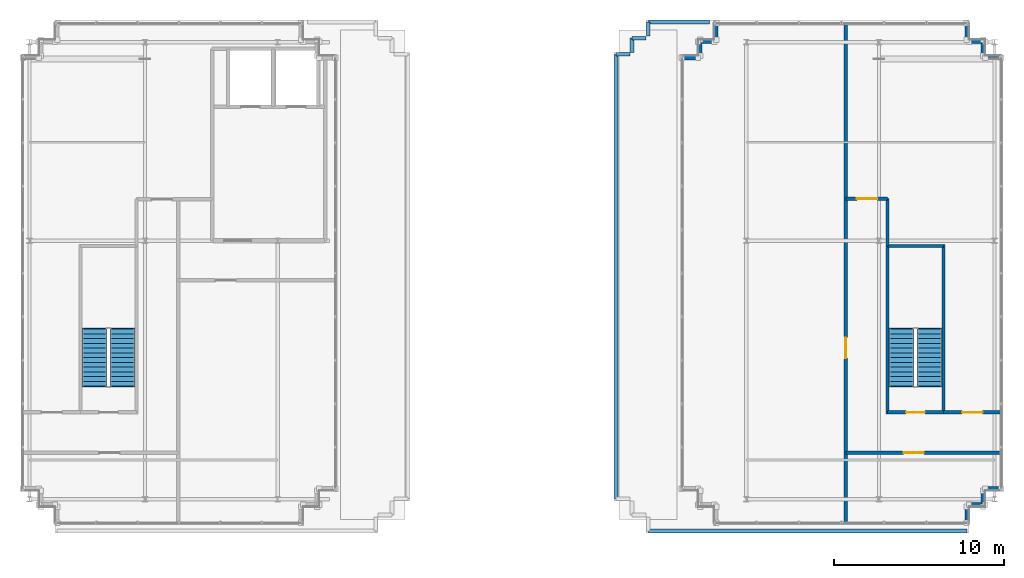
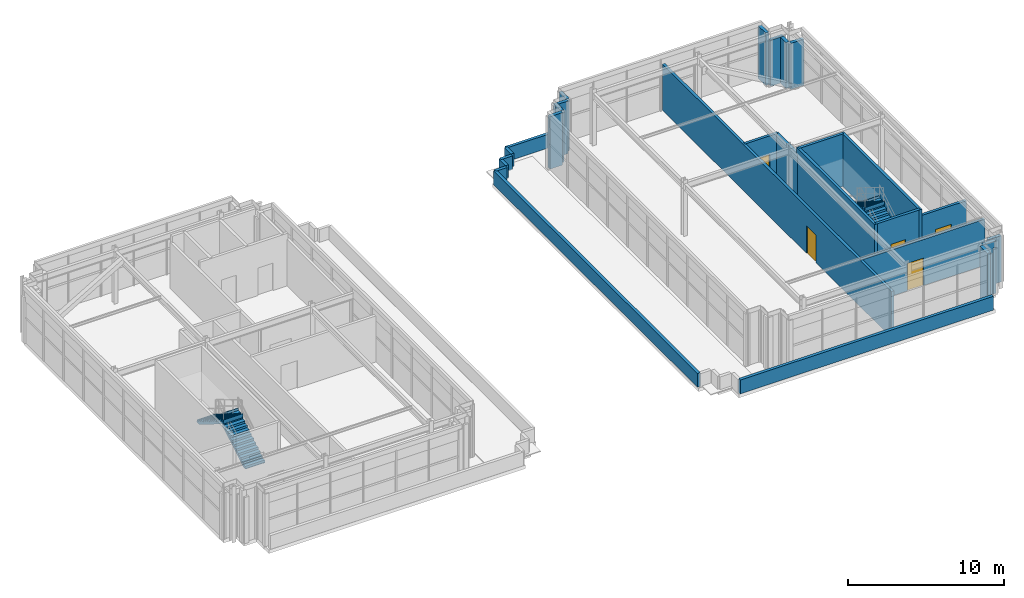
# One storey, part 26 of 28: 28 walls, 5 doors, 4 stair flights, 5 openings, 2 elements without a shape of their own.
"""IFC4 building model written with IfcOpenShell, lengths in metres."""

from ifc_helpers import new_model, si_unit, direction, frame, frame_2d, origin, place, context, subcontext, project, spatial, polyline, rectangle, outline, extrude, source, transform, mapped, material, layer, layer_set, type_object, element, fill, aggregate, save


model = new_model("IFC4")

# Units and contexts
model_context = context("Model", 3, precision=1e-05, world=origin(), true_north=direction((0.0, 1.0)))
body_context = subcontext(model_context, "Body", "Model", "MODEL_VIEW")
ifc_project = project(units=[si_unit("LENGTHUNIT", "METRE"), si_unit("AREAUNIT", "SQUARE_METRE"), si_unit("VOLUMEUNIT", "CUBIC_METRE"), si_unit("PLANEANGLEUNIT", "RADIAN"), si_unit("MASSUNIT", "GRAM", prefix="KILO")], contexts=[model_context])

# Site, building, storey
site_placement = place(None, origin())
site = spatial("IfcSite", under=ifc_project, at=site_placement, CompositionType="ELEMENT")
building_placement = place(site_placement, origin())
building = spatial("IfcBuilding", under=site, at=building_placement, Name="Trelvane Seafront Commons", CompositionType="ELEMENT")
storey_placement = place(building_placement, frame((0.0, 0.0, 312.300048828125)))
storey = spatial("IfcBuildingStorey", under=building, at=storey_placement, Name="L81", CompositionType="ELEMENT", Elevation=312.300048828125)

# Walls
ifc_material_1 = material(Name="Precast concrete C40/50", Category="concrete")
ifc_layer_1 = layer(ifc_material_1, 0.239990234375, Name="ARCH-WALL-EXT240")
ifc_layer_set_1 = layer_set([ifc_layer_1], Name="Precast concrete C40/50")
wall_type_1 = type_object("IfcWallType", Name="ARCH-WALL-EXT240", PredefinedType="SOLIDWALL", material=ifc_layer_set_1)
for number, where, z_axis, x_axis, name in (
    (1, (47.199951171875, 44.179931640625, 0.0), (0.0, 0.0, 1.0), (1.0, 0.0, 0.0), "EW-L81-CRN-01711"),
    (2, (48.27001953125, 44.300048828125, 0.0), (0.0, 0.0, 1.0), (0.0, 1.0, 0.0), "EW-L81-CRN-01712"),
):
    element("IfcWall", number, at=place(storey_placement, frame(where, z_axis=z_axis, x_axis=x_axis)), inside=storey, type_object=wall_type_1, Name=name, PredefinedType="SOLIDWALL", context=body_context, shape_type="SweptSolid", body=[
        extrude(rectangle(XDim=0.949951171875, YDim=0.239990234375, at=frame_2d((0.47509765625, 0.0))), origin(), (0.0, 0.0, 1.0), 4.10986328125),
    ])
wall_1_placement = place(storey_placement, frame((48.14990234375, 45.1298828125, 0.0), z_axis=(0.0, 0.0, 1.0), x_axis=(1.0, 0.0, 0.0)))
element("IfcWall", 3, at=wall_1_placement, inside=storey, type_object=wall_type_1, Name="EW-L81-CRN-01713", PredefinedType="SOLIDWALL", context=body_context, shape_type="SweptSolid", body=[
    extrude(rectangle(XDim=0.9501953125, YDim=0.239990234375, at=frame_2d((0.47509765625, 0.0))), origin(), (0.0, 0.0, 1.0), 4.10986328125),
])
for number, where, z_axis, x_axis, name in (
    (4, (49.219970703125, 45.25, 0.0), (0.0, 0.0, 1.0), (0.0, 1.0, 0.0), "EW-L81-CRN-01714"),
    (5, (63.97998046875, 46.199951171875, 0.0), (0.0, 0.0, 1.0), (0.0, -1.0, 0.0), "EW-L81-CRN-01715"),
):
    element("IfcWall", number, at=place(storey_placement, frame(where, z_axis=z_axis, x_axis=x_axis)), inside=storey, type_object=wall_type_1, Name=name, PredefinedType="SOLIDWALL", context=body_context, shape_type="SweptSolid", body=[
        extrude(rectangle(XDim=0.949951171875, YDim=0.239990234375, at=frame_2d((0.47509765625, 0.0))), origin(), (0.0, 0.0, 1.0), 4.10986328125),
    ])
for number, where, z_axis, x_axis, name in (
    (6, (64.10009765625, 45.1298828125, 0.0), (0.0, 0.0, 1.0), (1.0, 0.0, 0.0), "EW-L81-CRN-01716"),
    (7, (64.929931640625, 45.25, 0.0), (0.0, 0.0, 1.0), (0.0, -1.0, 0.0), "EW-L81-CRN-01717"),
    (8, (65.050048828125, 44.179931640625, 0.0), (0.0, 0.0, 1.0), (1.0, 0.0, 0.0), "EW-L81-CRN-01718"),
    (9, (66.0, 18.820068359375, 0.0), (0.0, 0.0, 1.0), (-1.0, 0.0, 0.0), "EW-L81-CRN-01719"),
    (10, (64.929931640625, 18.699951171875, 0.0), (0.0, 0.0, 1.0), (0.0, -1.0, 0.0), "EW-L81-CRN-01720"),
):
    element("IfcWall", number, at=place(storey_placement, frame(where, z_axis=z_axis, x_axis=x_axis)), inside=storey, type_object=wall_type_1, Name=name, PredefinedType="SOLIDWALL", context=body_context, shape_type="SweptSolid", body=[
        extrude(rectangle(XDim=0.949951171875, YDim=0.239990234375, at=frame_2d((0.47509765625, 0.0))), origin(), (0.0, 0.0, 1.0), 3.60986328125),
    ])
for number, where, z_axis, x_axis, name in (
    (11, (65.050048828125, 17.8701171875, 0.0), (0.0, 0.0, 1.0), (-1.0, 0.0, 0.0), "EW-L81-CRN-01721"),
    (12, (63.97998046875, 17.75, 0.0), (0.0, 0.0, 1.0), (0.0, -1.0, 0.0), "EW-L81-CRN-01722"),
):
    element("IfcWall", number, at=place(storey_placement, frame(where, z_axis=z_axis, x_axis=x_axis)), inside=storey, type_object=wall_type_1, Name=name, PredefinedType="SOLIDWALL", context=body_context, shape_type="SweptSolid", body=[
        extrude(rectangle(XDim=0.949951171875, YDim=0.239990234375, at=frame_2d((0.47509765625, 0.0))), origin(), (0.0, 0.0, 1.0), 4.10986328125),
    ])

# Wall, opening, door
ifc_material_2 = material(Name="Concrete C40/50", Category="concrete")
ifc_layer_2 = layer(ifc_material_2, 0.199951171875, Name="ARCH-WALL-FIRE200")
ifc_layer_set_2 = layer_set([ifc_layer_2], Name="Concrete C40/50")
wall_type_2 = type_object("IfcWallType", Name="ARCH-WALL-FIRE200", PredefinedType="PARTITIONING", material=ifc_layer_set_2)
wall_2_placement = place(storey_placement, frame((56.85009765625, 16.81005859375, 0.0), z_axis=(0.0, 0.0, 1.0), x_axis=(0.0, 1.0, 0.0)))
wall_2 = element("IfcWall", 13, at=wall_2_placement, inside=storey, type_object=wall_type_2, Name="W-L81-CRNE-W-023", PredefinedType="PARTITIONING", context=body_context, shape_type="SweptSolid", body=[
    extrude(rectangle(XDim=29.3798828125, YDim=0.199951171875, at=frame_2d((14.68994140625, 0.0))), origin(), (0.0, 0.0, 1.0), 3.60986328125),
])
opening_1_placement = place(wall_2_placement, frame((9.68994140625, 0.0, 0.0)))
opening_1 = element("IfcOpeningElement", 14, at=opening_1_placement, cuts=wall_2, Name="Opening FD-L81-10", PredefinedType="OPENING", context=body_context, shape_type="SweptSolid", body=[
    extrude(rectangle(XDim=1.199951171875, YDim=2.14990234375, at=frame_2d((0.60009765625, 1.074951171875))), frame((0.0, 0.10986328125, 0.0), z_axis=(0.0, -1.0, 0.0), x_axis=(1.0, 0.0, 0.0)), (0.0, 0.0, 1.0), 0.219970703125),
])
ifc_material_3 = material(Name="Powder-coated aluminium frame", Category="aluminium")
door_type_1 = type_object("IfcDoorType", Name="ARCH-DR-FD60-1200", OperationType="NOTDEFINED", PredefinedType="DOOR", material=ifc_material_3)
shared_shape_1 = source(origin(), body_context, "Body", "SweptSolid", [
    extrude(rectangle(XDim=1.199951171875, YDim=2.14990234375, at=frame_2d((0.60009765625, 1.074951171875))), frame((0.0, 0.02490234375, 0.0), z_axis=(0.0, -1.0, 0.0), x_axis=(1.0, 0.0, 0.0)), (0.0, 0.0, 1.0), 0.050048828125),
])
door_1_placement = place(opening_1_placement, origin())
door_1 = element("IfcDoor", 15, at=door_1_placement, inside=storey, type_object=door_type_1, Name="L81 Break Tank Room Door", OperationType="SINGLE_SWING_RIGHT", OverallHeight=2.14990234375, OverallWidth=1.199951171875, PredefinedType="DOOR", context=body_context, shape_type="MappedRepresentation", body=[
    mapped(shared_shape_1, transform((0.0, 0.0, 0.0), x_axis=(1.0, 0.0, 0.0), y_axis=(0.0, 1.0, 0.0), z_axis=(0.0, 0.0, 1.0), scale=1.0)),
])
fill(opening_1, door_1)

wall_3_placement = place(storey_placement, frame((56.85009765625, 20.919921875, 0.0), z_axis=(0.0, 0.0, 1.0), x_axis=(1.0, 0.0, 0.0)))
wall_3 = element("IfcWall", 16, at=wall_3_placement, inside=storey, type_object=wall_type_2, Name="W-L81-CRNE-S-024", PredefinedType="PARTITIONING", context=body_context, shape_type="SweptSolid", body=[
    extrude(rectangle(XDim=9.139892578125, YDim=0.199951171875, at=frame_2d((4.56982421875, 0.0))), origin(), (0.0, 0.0, 1.0), 3.60986328125),
])
opening_2_placement = place(wall_3_placement, frame((3.39990234375, 0.0, 0.0)))
opening_2 = element("IfcOpeningElement", 17, at=opening_2_placement, cuts=wall_3, Name="Opening FD-L81-11", PredefinedType="OPENING", context=body_context, shape_type="SweptSolid", body=[
    extrude(rectangle(XDim=1.199951171875, YDim=2.14990234375, at=frame_2d((0.60009765625, 1.074951171875))), frame((0.0, 0.10986328125, 0.0), z_axis=(0.0, -1.0, 0.0), x_axis=(1.0, 0.0, 0.0)), (0.0, 0.0, 1.0), 0.219970703125),
])
door_2_placement = place(opening_2_placement, origin())
door_2 = element("IfcDoor", 18, at=door_2_placement, inside=storey, type_object=door_type_1, Name="L81 Door 11", OperationType="SINGLE_SWING_LEFT", OverallHeight=2.14990234375, OverallWidth=1.199951171875, PredefinedType="DOOR", context=body_context, shape_type="MappedRepresentation", body=[
    mapped(shared_shape_1, transform((0.0, 0.0, 0.0), x_axis=(1.0, 0.0, 0.0), y_axis=(0.0, 1.0, 0.0), z_axis=(0.0, 0.0, 1.0), scale=1.0)),
])
fill(opening_2, door_2)

wall_4_placement = place(storey_placement, frame((62.60009765625, 23.300048828125, 0.0), z_axis=(0.0, 0.0, 1.0), x_axis=(1.0, 0.0, 0.0)))
wall_4 = element("IfcWall", 19, at=wall_4_placement, inside=storey, type_object=wall_type_2, Name="W-L81-CRNE-ETK-025", PredefinedType="PARTITIONING", context=body_context, shape_type="SweptSolid", body=[
    extrude(rectangle(XDim=3.389892578125, YDim=0.199951171875, at=frame_2d((1.69482421875, 0.0))), origin(), (0.0, 0.0, 1.0), 3.60986328125),
])
opening_3_placement = place(wall_4_placement, frame((1.10009765625, 0.0, 0.0)))
opening_3 = element("IfcOpeningElement", 20, at=opening_3_placement, cuts=wall_4, Name="Opening FD-L81-12", PredefinedType="OPENING", context=body_context, shape_type="SweptSolid", body=[
    extrude(rectangle(XDim=1.199951171875, YDim=2.14990234375, at=frame_2d((0.60009765625, 1.074951171875))), frame((0.0, 0.10986328125, 0.0), z_axis=(0.0, -1.0, 0.0), x_axis=(1.0, 0.0, 0.0)), (0.0, 0.0, 1.0), 0.219970703125),
])
door_3_placement = place(opening_3_placement, origin())
door_3 = element("IfcDoor", 21, at=door_3_placement, inside=storey, type_object=door_type_1, Name="L81 Door 12", OperationType="SINGLE_SWING_RIGHT", OverallHeight=2.14990234375, OverallWidth=1.199951171875, PredefinedType="DOOR", context=body_context, shape_type="MappedRepresentation", body=[
    mapped(shared_shape_1, transform((0.0, 0.0, 0.0), x_axis=(1.0, 0.0, 0.0), y_axis=(0.0, 1.0, 0.0), z_axis=(0.0, 0.0, 1.0), scale=1.0)),
])
fill(opening_3, door_3)

wall_5_placement = place(storey_placement, frame((56.85009765625, 35.8798828125, 0.0), z_axis=(0.0, 0.0, 1.0), x_axis=(1.0, 0.0, 0.0)))
wall_5 = element("IfcWall", 22, at=wall_5_placement, inside=storey, type_object=wall_type_2, Name="W-L81-CRNE-N-026", PredefinedType="PARTITIONING", context=body_context, shape_type="SweptSolid", body=[
    extrude(rectangle(XDim=2.449951171875, YDim=0.199951171875, at=frame_2d((1.22509765625, 0.0))), origin(), (0.0, 0.0, 1.0), 3.60986328125),
])
opening_4_placement = place(wall_5_placement, frame((0.64990234375, 0.0, 0.0)))
opening_4 = element("IfcOpeningElement", 23, at=opening_4_placement, cuts=wall_5, Name="Opening FD-L81-13", PredefinedType="OPENING", context=body_context, shape_type="SweptSolid", body=[
    extrude(rectangle(XDim=1.199951171875, YDim=2.14990234375, at=frame_2d((0.60009765625, 1.074951171875))), frame((0.0, 0.10986328125, 0.0), z_axis=(0.0, -1.0, 0.0), x_axis=(1.0, 0.0, 0.0)), (0.0, 0.0, 1.0), 0.219970703125),
])
door_4_placement = place(opening_4_placement, origin())
door_4 = element("IfcDoor", 24, at=door_4_placement, inside=storey, type_object=door_type_1, Name="L81 BMS Fan Room Door", OperationType="SINGLE_SWING_LEFT", OverallHeight=2.14990234375, OverallWidth=1.199951171875, PredefinedType="DOOR", context=body_context, shape_type="MappedRepresentation", body=[
    mapped(shared_shape_1, transform((0.0, 0.0, 0.0), x_axis=(1.0, 0.0, 0.0), y_axis=(0.0, 1.0, 0.0), z_axis=(0.0, 0.0, 1.0), scale=1.0)),
])
fill(opening_4, door_4)

# Walls
wall_6_placement = place(storey_placement, frame((59.300048828125, 33.10009765625, 0.0), z_axis=(0.0, 0.0, 1.0), x_axis=(0.0, 1.0, 0.0)))
element("IfcWall", 25, at=wall_6_placement, inside=storey, type_object=wall_type_2, Name="W-L81-CRNE-SPE-027", PredefinedType="PARTITIONING", context=body_context, shape_type="SweptSolid", body=[
    extrude(rectangle(XDim=2.77978515625, YDim=0.199951171875, at=frame_2d((1.389892578125, 0.0))), origin(), (0.0, 0.0, 1.0), 3.60986328125),
])
ifc_layer_3 = layer(ifc_material_1, 0.219970703125, Name="ARCH-WALL-PARAPET220")
ifc_layer_set_3 = layer_set([ifc_layer_3], Name="Precast concrete C40/50")
wall_type_3 = type_object("IfcWallType", Name="ARCH-WALL-PARAPET220", PredefinedType="PARAPET", material=ifc_layer_set_3)
wall_7_placement = place(storey_placement, frame((43.320068359375, 18.219970703125, 0.0), z_axis=(0.0, 0.0, 1.0), x_axis=(0.0, 1.0, 0.0)))
element("IfcWall", 26, at=wall_7_placement, inside=storey, type_object=wall_type_3, Name="PAR-L81-1737", PredefinedType="PARAPET", context=body_context, shape_type="SweptSolid", body=[
    extrude(rectangle(XDim=26.159912109375, YDim=0.219970703125, at=frame_2d((13.080078125, 0.0))), origin(), (0.0, 0.0, 1.0), 1.079833984375),
])
wall_8_placement = place(storey_placement, frame((43.320068359375, 44.3798828125, 0.0), z_axis=(0.0, 0.0, 1.0), x_axis=(1.0, 0.0, 0.0)))
element("IfcWall", 27, at=wall_8_placement, inside=storey, type_object=wall_type_3, Name="PAR-L81-1738", PredefinedType="PARAPET", context=body_context, shape_type="SweptSolid", body=[
    extrude(rectangle(XDim=0.829833984375, YDim=0.219970703125, at=frame_2d((0.4150390625, 0.0))), origin(), (0.0, 0.0, 1.0), 1.079833984375),
])
for number, where, z_axis, x_axis, name in (
    (28, (44.27001953125, 44.5, 0.0), (0.0, 0.0, 1.0), (0.0, 1.0, 0.0), "PAR-L81-1739"),
    (29, (44.27001953125, 45.330078125, 0.0), (0.0, 0.0, 1.0), (1.0, 0.0, 0.0), "PAR-L81-1740"),
    (30, (45.219970703125, 45.449951171875, 0.0), (0.0, 0.0, 1.0), (0.0, 1.0, 0.0), "PAR-L81-1741"),
):
    element("IfcWall", number, at=place(storey_placement, frame(where, z_axis=z_axis, x_axis=x_axis)), inside=storey, type_object=wall_type_3, Name=name, PredefinedType="PARAPET", context=body_context, shape_type="SweptSolid", body=[
        extrude(rectangle(XDim=0.830078125, YDim=0.219970703125, at=frame_2d((0.4150390625, 0.0))), origin(), (0.0, 0.0, 1.0), 1.079833984375),
    ])
wall_9_placement = place(storey_placement, frame((45.219970703125, 46.280029296875, 0.0), z_axis=(0.0, 0.0, 1.0), x_axis=(1.0, 0.0, 0.0)))
element("IfcWall", 31, at=wall_9_placement, inside=storey, type_object=wall_type_3, Name="PAR-L81-1742", PredefinedType="PARAPET", context=body_context, shape_type="SweptSolid", body=[
    extrude(rectangle(XDim=3.61181640625, YDim=0.219970703125, at=frame_2d((1.805908203125, 0.0))), origin(), (0.0, 0.0, 1.0), 1.079833984375),
])
wall_10_placement = place(storey_placement, frame((63.97998046875, 16.320068359375, 0.0), z_axis=(0.0, 0.0, 1.0), x_axis=(-1.0, 0.0, 0.0)))
element("IfcWall", 32, at=wall_10_placement, inside=storey, type_object=wall_type_3, Name="PAR-L81-1743", PredefinedType="PARAPET", context=body_context, shape_type="SweptSolid", body=[
    extrude(rectangle(XDim=18.760009765625, YDim=0.219970703125, at=frame_2d((9.3798828125, 0.0))), origin(), (0.0, 0.0, 1.0), 1.079833984375),
])
ifc_material_4 = material(Name="Concrete C50/60", Category="concrete")
ifc_layer_4 = layer(ifc_material_4, 0.199951171875, Name="STR-WALL-STAIR200")
ifc_layer_set_4 = layer_set([ifc_layer_4], Name="Concrete C50/60")
wall_type_4 = type_object("IfcWallType", Name="STR-WALL-STAIR200", PredefinedType="SHEAR", material=ifc_layer_set_4)
for number, where, z_axis, x_axis, name in (
    (33, (59.300048828125, 23.199951171875, 0.0), (0.0, 0.0, 1.0), (0.0, 1.0, 0.0), "W-L81-ST6-W-005"),
    (34, (62.60009765625, 23.199951171875, 0.0), (0.0, 0.0, 1.0), (0.0, 1.0, 0.0), "W-L81-ST6-E-006"),
):
    element("IfcWall", number, at=place(storey_placement, frame(where, z_axis=z_axis, x_axis=x_axis)), inside=storey, type_object=wall_type_4, Name=name, PredefinedType="SHEAR", context=body_context, shape_type="SweptSolid", body=[
        extrude(rectangle(XDim=10.0, YDim=0.199951171875, at=frame_2d((5.0, 0.0))), origin(), (0.0, 0.0, 1.0), 4.10986328125),
    ])
wall_11_placement = place(storey_placement, frame((59.300048828125, 33.10009765625, 0.0), z_axis=(0.0, 0.0, 1.0), x_axis=(1.0, 0.0, 0.0)))
element("IfcWall", 35, at=wall_11_placement, inside=storey, type_object=wall_type_4, Name="W-L81-ST6-N-007", PredefinedType="SHEAR", context=body_context, shape_type="SweptSolid", body=[
    extrude(rectangle(XDim=3.300048828125, YDim=0.199951171875, at=frame_2d((1.64990234375, 0.0))), origin(), (0.0, 0.0, 1.0), 4.10986328125),
])

# Wall, opening, door
wall_12_placement = place(storey_placement, frame((59.300048828125, 23.300048828125, 0.0), z_axis=(0.0, 0.0, 1.0), x_axis=(1.0, 0.0, 0.0)))
wall_12 = element("IfcWall", 36, at=wall_12_placement, inside=storey, type_object=wall_type_4, Name="W-L81-ST6-S-008", PredefinedType="SHEAR", context=body_context, shape_type="SweptSolid", body=[
    extrude(rectangle(XDim=3.300048828125, YDim=0.199951171875, at=frame_2d((1.64990234375, 0.0))), origin(), (0.0, 0.0, 1.0), 4.10986328125),
])
opening_5_placement = place(wall_12_placement, frame((1.10009765625, 0.0, 0.0)))
opening_5 = element("IfcOpeningElement", 37, at=opening_5_placement, cuts=wall_12, Name="Opening ST-D-ST6-L81", PredefinedType="OPENING", context=body_context, shape_type="SweptSolid", body=[
    extrude(rectangle(XDim=1.10009765625, YDim=2.14990234375, at=frame_2d((0.550048828125, 1.074951171875))), frame((0.0, 0.10986328125, 0.0), z_axis=(0.0, -1.0, 0.0), x_axis=(1.0, 0.0, 0.0)), (0.0, 0.0, 1.0), 0.219970703125),
])
door_type_2 = type_object("IfcDoorType", Name="ARCH-DR-FD90-1100", OperationType="NOTDEFINED", PredefinedType="DOOR", material=ifc_material_3)
shared_shape_2 = source(origin(), body_context, "Body", "SweptSolid", [
    extrude(rectangle(XDim=1.10009765625, YDim=2.14990234375, at=frame_2d((0.550048828125, 1.074951171875))), frame((0.0, 0.02490234375, 0.0), z_axis=(0.0, -1.0, 0.0), x_axis=(1.0, 0.0, 0.0)), (0.0, 0.0, 1.0), 0.050048828125),
])
door_5_placement = place(opening_5_placement, origin())
door_5 = element("IfcDoor", 38, at=door_5_placement, inside=storey, type_object=door_type_2, Name="L81 Crown ST6 Fire Door", OperationType="SINGLE_SWING_RIGHT", OverallHeight=2.14990234375, OverallWidth=1.10009765625, PredefinedType="DOOR", context=body_context, shape_type="MappedRepresentation", body=[
    mapped(shared_shape_2, transform((0.0, 0.0, 0.0), x_axis=(1.0, 0.0, 0.0), y_axis=(0.0, 1.0, 0.0), z_axis=(0.0, 0.0, 1.0), scale=1.0)),
])
fill(opening_5, door_5)

# Stair, stair flights
stair_type_1 = type_object("IfcStairType", Name="ARCH-STR-ST-5-R26-169", PredefinedType="HALF_TURN_STAIR", material=ifc_material_2)
stair_1_placement = place(storey_placement, origin())
stair_1 = element("IfcStair", 39, at=stair_1_placement, inside=storey, type_object=stair_type_1, Name="L81 Crown West Peak Enclosed Maintenance Exit Stair ST-5", PredefinedType="HALF_TURN_STAIR")
stair_flight_type_1 = type_object("IfcStairFlightType", Name="ARCH-FLG-ST-5-R26-169", PredefinedType="STRAIGHT", material=ifc_material_2)
shared_shape_3 = source(origin(), body_context, "Body", "SweptSolid", [
    extrude(outline(polyline([(-0.050048828125, -0.02001953125), (-0.050048828125, 0.0), (0.0, 0.0), (0.0, 0.169189453125), (0.280029296875, 0.169189453125), (0.280029296875, 0.33837890625), (0.56005859375, 0.33837890625), (0.56005859375, 0.5078125), (0.840087890625, 0.5078125), (0.840087890625, 0.677001953125), (1.1201171875, 0.677001953125), (1.1201171875, 0.84619140625), (1.39990234375, 0.84619140625), (1.39990234375, 1.015380859375), (1.679931640625, 1.015380859375), (1.679931640625, 1.1845703125), (1.9599609375, 1.1845703125), (1.9599609375, 1.353759765625), (2.239990234375, 1.353759765625), (2.239990234375, 1.523193359375), (2.52001953125, 1.523193359375), (2.52001953125, 1.6923828125), (2.800048828125, 1.6923828125), (2.800048828125, 1.861572265625), (3.080078125, 1.861572265625), (3.080078125, 2.03076171875), (3.360107421875, 2.03076171875), (3.360107421875, 2.199951171875), (3.409912109375, 2.199951171875), (3.409912109375, 2.050048828125), (3.360107421875, 1.855712890625), (0.289794921875, -0.02001953125), (-0.050048828125, -0.02001953125)])), frame((0.0, 0.72509765625, 0.0), z_axis=(0.0, -1.0, 0.0), x_axis=(1.0, 0.0, 0.0)), (0.0, 0.0, 1.0), 1.449951171875),
])
stair_flight_1_placement = place(storey_placement, frame((14.27490234375, 24.85009765625, 0.0), z_axis=(0.0, 0.0, 1.0), x_axis=(0.0, 1.0, 0.0)))
stair_flight_1 = element("IfcStairFlight", 40, at=stair_flight_1_placement, type_object=stair_flight_type_1, Name="ST-5 flight 1", NumberOfRisers=13, NumberOfTreads=12, PredefinedType="STRAIGHT", RiserHeight=0.169230769, TreadLength=0.28, context=body_context, shape_type="MappedRepresentation", body=[
    mapped(shared_shape_3, transform((0.0, 0.0, 0.0), x_axis=(1.0, 0.0, 0.0), y_axis=(0.0, 1.0, 0.0), z_axis=(0.0, 0.0, 1.0), scale=1.0)),
])
stair_flight_2_placement = place(storey_placement, frame((12.625, 28.2099609375, 2.199951171875), z_axis=(0.0, 0.0, 1.0), x_axis=(0.0, -1.0, 0.0)))
stair_flight_2 = element("IfcStairFlight", 41, at=stair_flight_2_placement, type_object=stair_flight_type_1, Name="ST-5 flight 2", NumberOfRisers=13, NumberOfTreads=12, PredefinedType="STRAIGHT", RiserHeight=0.169230769, TreadLength=0.28, context=body_context, shape_type="MappedRepresentation", body=[
    mapped(shared_shape_3, transform((0.0, 0.0, 0.0), x_axis=(1.0, 0.0, 0.0), y_axis=(0.0, 1.0, 0.0), z_axis=(0.0, 0.0, 1.0), scale=1.0)),
])
aggregate(stair_1, [stair_flight_1, stair_flight_2])

stair_type_2 = type_object("IfcStairType", Name="ARCH-STR-ST-6-R26-169", PredefinedType="HALF_TURN_STAIR", material=ifc_material_2)
stair_2_placement = place(storey_placement, origin())
stair_2 = element("IfcStair", 42, at=stair_2_placement, inside=storey, type_object=stair_type_2, Name="L81 Crown East Peak Enclosed Maintenance Exit Stair ST-6", PredefinedType="HALF_TURN_STAIR")
stair_flight_type_2 = type_object("IfcStairFlightType", Name="ARCH-FLG-ST-6-R26-169", PredefinedType="STRAIGHT", material=ifc_material_2)
stair_flight_3_placement = place(storey_placement, frame((61.77490234375, 24.85009765625, 0.0), z_axis=(0.0, 0.0, 1.0), x_axis=(0.0, 1.0, 0.0)))
stair_flight_3 = element("IfcStairFlight", 43, at=stair_flight_3_placement, type_object=stair_flight_type_2, Name="ST-6 flight 1", NumberOfRisers=13, NumberOfTreads=12, PredefinedType="STRAIGHT", RiserHeight=0.169230769, TreadLength=0.28, context=body_context, shape_type="MappedRepresentation", body=[
    mapped(shared_shape_3, transform((0.0, 0.0, 0.0), x_axis=(1.0, 0.0, 0.0), y_axis=(0.0, 1.0, 0.0), z_axis=(0.0, 0.0, 1.0), scale=1.0)),
])
stair_flight_4_placement = place(storey_placement, frame((60.125, 28.2099609375, 2.199951171875), z_axis=(0.0, 0.0, 1.0), x_axis=(0.0, -1.0, 0.0)))
stair_flight_4 = element("IfcStairFlight", 44, at=stair_flight_4_placement, type_object=stair_flight_type_2, Name="ST-6 flight 2", NumberOfRisers=13, NumberOfTreads=12, PredefinedType="STRAIGHT", RiserHeight=0.169230769, TreadLength=0.28, context=body_context, shape_type="MappedRepresentation", body=[
    mapped(shared_shape_3, transform((0.0, 0.0, 0.0), x_axis=(1.0, 0.0, 0.0), y_axis=(0.0, 1.0, 0.0), z_axis=(0.0, 0.0, 1.0), scale=1.0)),
])
aggregate(stair_2, [stair_flight_3, stair_flight_4])

save(model, "model.ifc")
